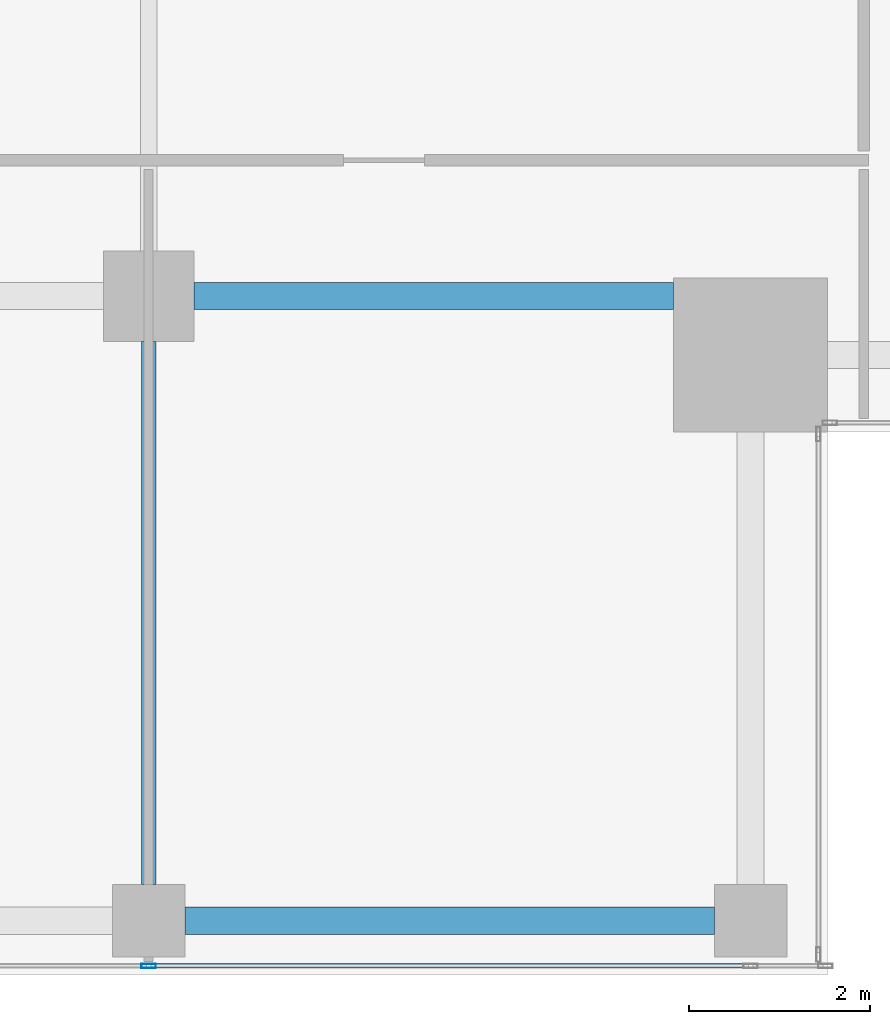
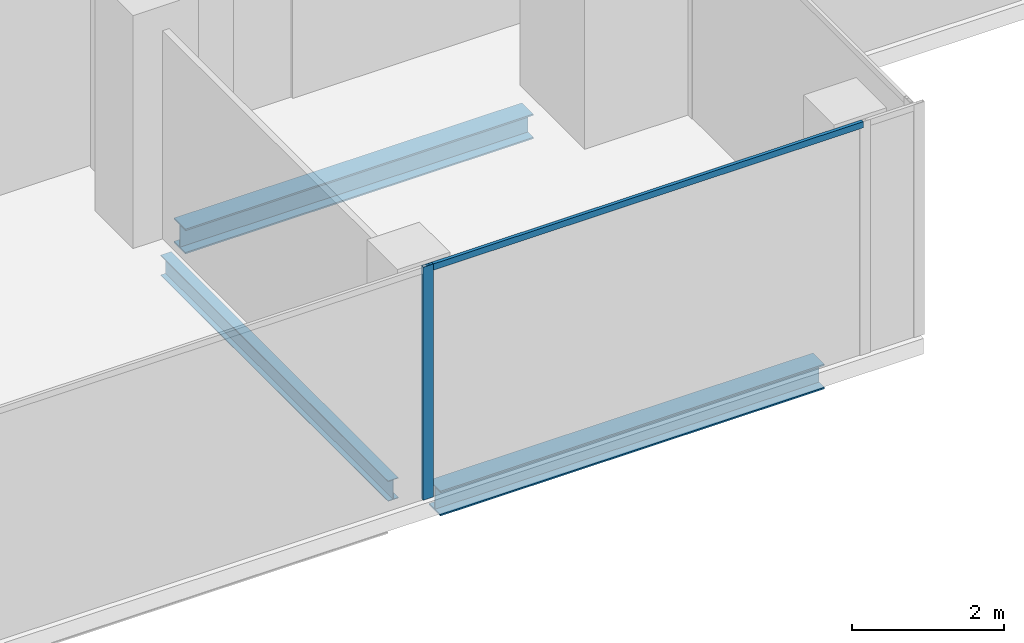
# One storey, part 7 of 29: 3 beams, 2 members, 1 element without a shape of its own.
"""IFC4 building model written with IfcOpenShell, lengths in metres."""

from ifc_helpers import new_model, si_unit, direction, frame, origin, origin_2d, place, context, subcontext, project, spatial, hollow_rectangle, i_section, extrude, source, transform, mapped, material, material_profile, profile_set, type_object, element, aggregate, save


model = new_model("IFC4")

# Units and contexts
model_context = context("Model", 3, precision=1e-05, world=origin(), true_north=direction((0.0, 1.0)))
body_context = subcontext(model_context, "Body", "Model", "MODEL_VIEW")
ifc_project = project(units=[si_unit("LENGTHUNIT", "METRE"), si_unit("AREAUNIT", "SQUARE_METRE"), si_unit("VOLUMEUNIT", "CUBIC_METRE"), si_unit("PLANEANGLEUNIT", "RADIAN"), si_unit("MASSUNIT", "GRAM", prefix="KILO")], contexts=[model_context])

# Site, building, storey
site_placement = place(None, origin())
site = spatial("IfcSite", under=ifc_project, at=site_placement, CompositionType="ELEMENT")
building_placement = place(site_placement, origin())
building = spatial("IfcBuilding", under=site, at=building_placement, Name="Khomas Fold Tower", CompositionType="ELEMENT")
storey_placement = place(building_placement, frame((0.0, 0.0, 326.199951171875)))
storey = spatial("IfcBuildingStorey", under=building, at=storey_placement, Name="L74", CompositionType="ELEMENT", Elevation=326.199951171875)

# Beams
ifc_material_1 = material(Name="Steel S355", Category="steel")
ifc_material_profile_1 = material_profile(ifc_material_1, i_section(OverallWidth=0.300048828125, OverallDepth=0.39990234375, WebThickness=0.013427734375, FlangeThickness=0.02392578125, at=origin_2d()), Name="HE 400 B")
ifc_profile_set_1 = profile_set([ifc_material_profile_1], Name="Steel S355")
beam_type_1 = type_object("IfcBeamType", Name="HE 400 B spandrel SB5", PredefinedType="SPANDREL", material=ifc_profile_set_1)
shared_shape_1 = source(origin(), body_context, "Body", "SweptSolid", [
    extrude(i_section(OverallWidth=0.300048828125, OverallDepth=0.39990234375, WebThickness=0.013427734375, FlangeThickness=0.02392578125, at=origin_2d()), origin(), (0.0, 0.0, 1.0), 5.85009765625),
])
beam_1_placement = place(storey_placement, frame((34.89990234375, 6.60009765625, -0.449951171875), z_axis=(1.0, 0.0, 0.0), x_axis=(0.0, 1.0, 0.0)))
element("IfcBeam", 1, at=beam_1_placement, inside=storey, type_object=beam_type_1, Name="SB5", PredefinedType="SPANDREL", context=body_context, shape_type="MappedRepresentation", body=[
    mapped(shared_shape_1, transform((0.0, 0.0, 0.0))),
])
ifc_material_2 = material(Name="Steel S355", Category="steel")
ifc_material_profile_2 = material_profile(ifc_material_2, i_section(OverallWidth=0.300048828125, OverallDepth=0.39990234375, WebThickness=0.013427734375, FlangeThickness=0.02392578125, at=origin_2d()), Name="HE 400 B")
ifc_profile_set_2 = profile_set([ifc_material_profile_2], Name="Steel S355")
beam_type_2 = type_object("IfcBeamType", Name="HE 400 B beam GB1", PredefinedType="BEAM", material=ifc_profile_set_2)
shared_shape_2 = source(origin(), body_context, "Body", "SweptSolid", [
    extrude(i_section(OverallWidth=0.300048828125, OverallDepth=0.39990234375, WebThickness=0.013427734375, FlangeThickness=0.02392578125, at=origin_2d()), origin(), (0.0, 0.0, 1.0), 5.300048828125),
])
beam_2_placement = place(storey_placement, frame((35.0, 13.5, -0.449951171875), z_axis=(1.0, 0.0, 0.0), x_axis=(0.0, 1.0, 0.0)))
element("IfcBeam", 2, at=beam_2_placement, inside=storey, type_object=beam_type_2, Name="GB1", PredefinedType="BEAM", context=body_context, shape_type="MappedRepresentation", body=[
    mapped(shared_shape_2, transform((0.0, 0.0, 0.0))),
])
ifc_material_3 = material(Name="Steel S355", Category="steel")
ifc_material_profile_3 = material_profile(ifc_material_3, i_section(OverallWidth=0.159912109375, OverallDepth=0.330078125, WebThickness=0.007568359375, FlangeThickness=0.011474609375, at=origin_2d()), Name="IPE 330")
ifc_profile_set_3 = profile_set([ifc_material_profile_3], Name="Steel S355")
beam_type_3 = type_object("IfcBeamType", Name="IPE 330 beam JB1", PredefinedType="BEAM", material=ifc_profile_set_3)
shared_shape_3 = source(origin(), body_context, "Body", "SweptSolid", [
    extrude(i_section(OverallWidth=0.159912109375, OverallDepth=0.330078125, WebThickness=0.007568359375, FlangeThickness=0.011474609375, at=origin_2d()), origin(), (0.0, 0.0, 1.0), 6.0),
])
beam_3_placement = place(storey_placement, frame((34.5, 7.0, -0.4150390625), z_axis=(0.0, 1.0, 0.0), x_axis=(-1.0, 0.0, 0.0)))
element("IfcBeam", 3, at=beam_3_placement, inside=storey, type_object=beam_type_3, Name="JB1", PredefinedType="BEAM", context=body_context, shape_type="MappedRepresentation", body=[
    mapped(shared_shape_3, transform((0.0, 0.0, 0.0))),
])

# Curtain wall, members
ifc_material_4 = material(Name="Aluminium framed double glazing", Category="aluminium")
curtain_wall_type = type_object("IfcCurtainWallType", Name="SK-Unitised clear-glass wall, upper floors CW3", PredefinedType="NOTDEFINED", material=ifc_material_4)
curtain_wall_placement = place(storey_placement, origin())
curtain_wall = element("IfcCurtainWall", 4, at=curtain_wall_placement, inside=storey, type_object=curtain_wall_type, Name="CW3 run L74 00-0", PredefinedType="NOTDEFINED")
ifc_material_5 = material(Name="Aluminium", Category="aluminium")
ifc_material_profile_4 = material_profile(ifc_material_5, hollow_rectangle(XDim=0.050048828125, YDim=0.159912109375, WallThickness=0.00390625, at=origin_2d()), Name="SK-Unitised clear-glass wall, upper floors mullion CW3-M")
ifc_profile_set_4 = profile_set([ifc_material_profile_4], Name="Aluminium")
member_type_1 = type_object("IfcMemberType", Name="SK-Unitised clear-glass wall, upper floors mullion CW3-M", PredefinedType="MULLION", material=ifc_profile_set_4)
shared_shape_4 = source(origin(), body_context, "Body", "SweptSolid", [
    extrude(hollow_rectangle(XDim=0.050048828125, YDim=0.159912109375, WallThickness=0.00390625, at=origin_2d()), origin(), (0.0, 0.0, 1.0), 3.75),
])
member_1_placement = place(storey_placement, frame((34.5, 6.10009765625, 0.0), z_axis=(0.0, 0.0, 1.0), x_axis=(0.0, 1.0, 0.0)))
member_1 = element("IfcMember", 5, at=member_1_placement, type_object=member_type_1, Name="CW3 mullion 5", PredefinedType="MULLION", context=body_context, shape_type="MappedRepresentation", body=[
    mapped(shared_shape_4, transform((0.0, 0.0, 0.0))),
])
ifc_material_6 = material(Name="Aluminium", Category="aluminium")
ifc_material_profile_5 = material_profile(ifc_material_6, hollow_rectangle(XDim=0.050048828125, YDim=0.10009765625, WallThickness=0.00390625, at=origin_2d()), Name="SK-Unitised clear-glass wall, upper floors transom CW3-T")
ifc_profile_set_5 = profile_set([ifc_material_profile_5], Name="Aluminium")
member_type_2 = type_object("IfcMemberType", Name="SK-Unitised clear-glass wall, upper floors transom CW3-T", PredefinedType="USERDEFINED", material=ifc_profile_set_5)
shared_shape_5 = source(origin(), body_context, "Body", "SweptSolid", [
    extrude(hollow_rectangle(XDim=0.050048828125, YDim=0.10009765625, WallThickness=0.00390625, at=origin_2d()), origin(), (0.0, 0.0, 1.0), 6.60009765625),
])
member_2_placement = place(storey_placement, frame((34.52490234375, 6.10009765625, 3.699951171875), z_axis=(1.0, 0.0, 0.0), x_axis=(0.0, 1.0, 0.0)))
member_2 = element("IfcMember", 6, at=member_2_placement, type_object=member_type_2, Name="CW3 transom 5", ObjectType="TRANSOM", PredefinedType="USERDEFINED", context=body_context, shape_type="MappedRepresentation", body=[
    mapped(shared_shape_5, transform((0.0, 0.0, 0.0))),
])
aggregate(curtain_wall, [member_1, member_2])

save(model, "model.ifc")
